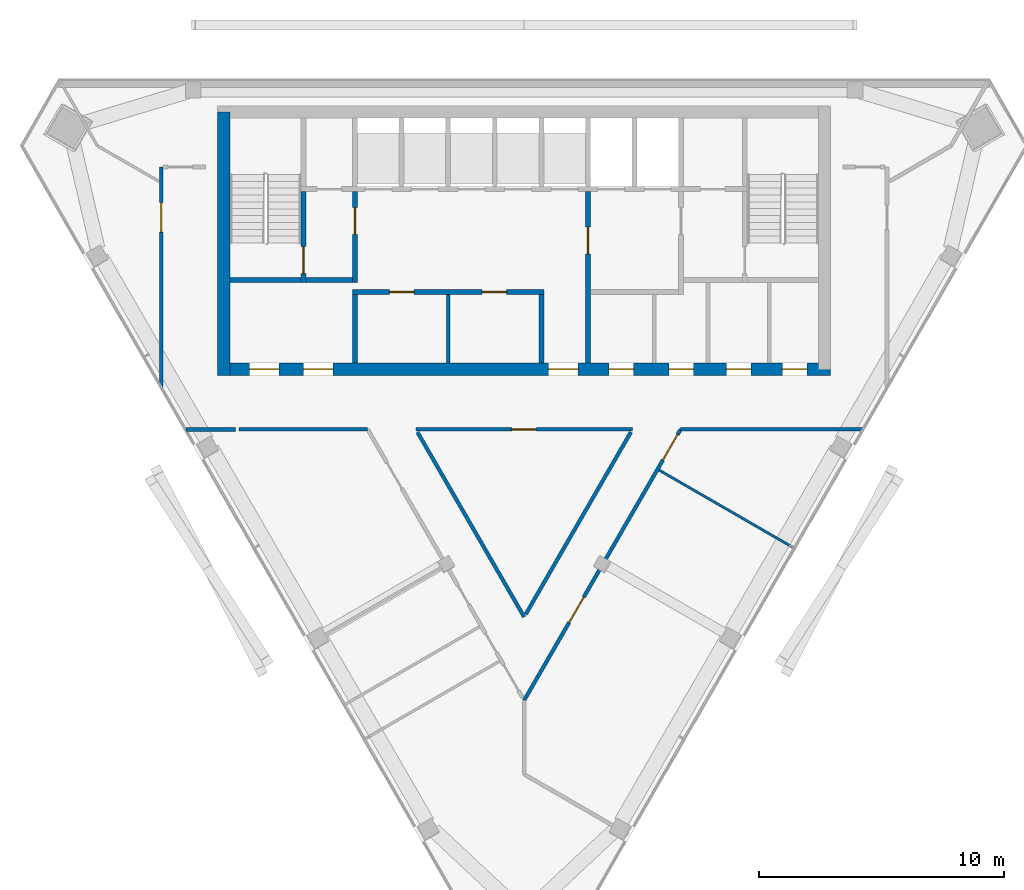
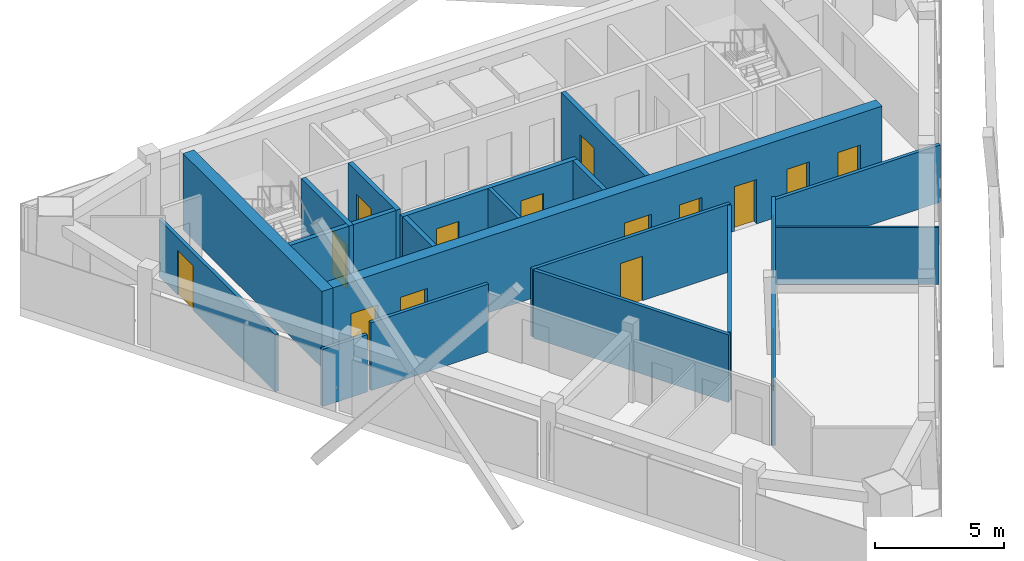
# One storey, part 6 of 10: 20 walls, 16 doors, 16 openings.
"""IFC4 building model written with IfcOpenShell, lengths in metres."""

from ifc_helpers import new_model, si_unit, direction, frame, frame_2d, origin, place, context, subcontext, project, spatial, rectangle, extrude, material, layer, layer_set, type_object, element, fill, save


model = new_model("IFC4")

# Units and contexts
model_context = context("Model", 3, precision=1e-05, world=origin(), true_north=direction((0.0, 1.0)))
body_context = subcontext(model_context, "Body", "Model", "MODEL_VIEW")
ifc_project = project(units=[si_unit("LENGTHUNIT", "METRE"), si_unit("AREAUNIT", "SQUARE_METRE"), si_unit("VOLUMEUNIT", "CUBIC_METRE"), si_unit("PLANEANGLEUNIT", "RADIAN"), si_unit("MASSUNIT", "GRAM", prefix="KILO")], contexts=[model_context])

# Site, building, storey
site_placement = place(None, origin())
site = spatial("IfcSite", under=ifc_project, at=site_placement, CompositionType="ELEMENT")
building_placement = place(site_placement, origin())
building = spatial("IfcBuilding", under=site, at=building_placement, Name="Altiplano Prism Tower", CompositionType="ELEMENT")
storey_placement = place(building_placement, frame((0.0, 0.0, 347.199951171875)))
storey = spatial("IfcBuildingStorey", under=building, at=storey_placement, Name="L90", CompositionType="ELEMENT", Elevation=347.199951171875)

# Wall, openings, doors
ifc_material_1 = material(Name="Concrete C60/75", Category="concrete")
ifc_layer_1 = layer(ifc_material_1, 0.5)
ifc_layer_set_1 = layer_set([ifc_layer_1], Name="Concrete C60/75")
wall_type_1 = type_object("IfcWallType", Name="Core wall 500", PredefinedType="SHEAR", material=ifc_layer_set_1)
wall_1_placement = place(storey_placement, frame((72.75, 93.14990234375, 0.0), z_axis=(0.0, 0.0, 1.0), x_axis=(1.0, 0.0, 0.0)))
wall_1 = element("IfcWall", 1, at=wall_1_placement, inside=storey, type_object=wall_type_1, Name="Core wall S L90", PredefinedType="SHEAR", context=body_context, shape_type="SweptSolid", body=[
    extrude(rectangle(XDim=24.75, YDim=0.5, at=frame_2d((12.375, 0.0))), origin(), (0.0, 0.0, 1.0), 3.60009765625),
])
opening_1_placement = place(wall_1_placement, frame((1.050048828125, 0.0, 0.0)))
opening_1 = element("IfcOpeningElement", 2, at=opening_1_placement, cuts=wall_1, Name="Opening D3866", PredefinedType="OPENING", context=body_context, shape_type="SweptSolid", body=[
    extrude(rectangle(XDim=1.199951171875, YDim=2.10009765625, at=frame_2d((0.60009765625, 1.050048828125))), frame((0.0, 0.260498046875, 0.0), z_axis=(0.0, -1.0, 0.0), x_axis=(1.0, 0.0, 0.0)), (0.0, 0.0, 1.0), 0.52099609375),
])
opening_2_placement = place(wall_1_placement, frame((3.25, 0.0, 0.0)))
opening_2 = element("IfcOpeningElement", 3, at=opening_2_placement, cuts=wall_1, Name="Opening D3867", PredefinedType="OPENING", context=body_context, shape_type="SweptSolid", body=[
    extrude(rectangle(XDim=1.199951171875, YDim=2.10009765625, at=frame_2d((0.60009765625, 1.050048828125))), frame((0.0, 0.260498046875, 0.0), z_axis=(0.0, -1.0, 0.0), x_axis=(1.0, 0.0, 0.0)), (0.0, 0.0, 1.0), 0.52099609375),
])
opening_3_placement = place(wall_1_placement, frame((13.25, 0.0, 0.0)))
opening_3 = element("IfcOpeningElement", 4, at=opening_3_placement, cuts=wall_1, Name="Opening D3868", PredefinedType="OPENING", context=body_context, shape_type="SweptSolid", body=[
    extrude(rectangle(XDim=1.199951171875, YDim=2.10009765625, at=frame_2d((0.60009765625, 1.050048828125))), frame((0.0, 0.260498046875, 0.0), z_axis=(0.0, -1.0, 0.0), x_axis=(1.0, 0.0, 0.0)), (0.0, 0.0, 1.0), 0.52099609375),
])
opening_4_placement = place(wall_1_placement, frame((15.71240234375, 0.0, 0.0)))
opening_4 = element("IfcOpeningElement", 5, at=opening_4_placement, cuts=wall_1, Name="Opening D3871", PredefinedType="OPENING", context=body_context, shape_type="SweptSolid", body=[
    extrude(rectangle(XDim=1.0, YDim=2.10009765625, at=frame_2d((0.5, 1.050048828125))), frame((0.0, 0.260498046875, 0.0), z_axis=(0.0, -1.0, 0.0), x_axis=(1.0, 0.0, 0.0)), (0.0, 0.0, 1.0), 0.52099609375),
])
opening_5_placement = place(wall_1_placement, frame((18.14990234375, 0.0, 0.0)))
opening_5 = element("IfcOpeningElement", 6, at=opening_5_placement, cuts=wall_1, Name="Opening D3872", PredefinedType="OPENING", context=body_context, shape_type="SweptSolid", body=[
    extrude(rectangle(XDim=1.0, YDim=2.10009765625, at=frame_2d((0.5, 1.050048828125))), frame((0.0, 0.260498046875, 0.0), z_axis=(0.0, -1.0, 0.0), x_axis=(1.0, 0.0, 0.0)), (0.0, 0.0, 1.0), 0.52099609375),
])
opening_6_placement = place(wall_1_placement, frame((20.5, 0.0, 0.0)))
opening_6 = element("IfcOpeningElement", 7, at=opening_6_placement, cuts=wall_1, Name="Opening D3873", PredefinedType="OPENING", context=body_context, shape_type="SweptSolid", body=[
    extrude(rectangle(XDim=1.0, YDim=2.10009765625, at=frame_2d((0.5, 1.050048828125))), frame((0.0, 0.260498046875, 0.0), z_axis=(0.0, -1.0, 0.0), x_axis=(1.0, 0.0, 0.0)), (0.0, 0.0, 1.0), 0.52099609375),
])
opening_7_placement = place(wall_1_placement, frame((22.78759765625, 0.0, 0.0)))
opening_7 = element("IfcOpeningElement", 8, at=opening_7_placement, cuts=wall_1, Name="Opening D3874", PredefinedType="OPENING", context=body_context, shape_type="SweptSolid", body=[
    extrude(rectangle(XDim=1.0, YDim=2.10009765625, at=frame_2d((0.5, 1.050048828125))), frame((0.0, 0.260498046875, 0.0), z_axis=(0.0, -1.0, 0.0), x_axis=(1.0, 0.0, 0.0)), (0.0, 0.0, 1.0), 0.52099609375),
])
ifc_material_2 = material(Name="Fire-rated steel door", Category="steel")
door_type_1 = type_object("IfcDoorType", Name="Core room door 1000 x 2100", OperationType="NOTDEFINED", PredefinedType="NOTDEFINED", material=ifc_material_2)
door_1_placement = place(opening_4_placement, origin())
door_1 = element("IfcDoor", 9, at=door_1_placement, inside=storey, type_object=door_type_1, Name="Core room door D3871", OperationType="SINGLE_SWING_RIGHT", OverallHeight=2.10009765625, OverallWidth=1.0, PredefinedType="NOTDEFINED", context=body_context, shape_type="SweptSolid", body=[
    extrude(rectangle(XDim=1.0, YDim=2.10009765625, at=frame_2d((0.5, 1.050048828125))), frame((0.0, 0.02490234375, 0.0), z_axis=(0.0, -1.0, 0.0), x_axis=(1.0, 0.0, 0.0)), (0.0, 0.0, 1.0), 0.050048828125),
])
fill(opening_4, door_1)
door_2_placement = place(opening_5_placement, origin())
door_2 = element("IfcDoor", 10, at=door_2_placement, inside=storey, type_object=door_type_1, Name="Core room door D3872", OperationType="SINGLE_SWING_LEFT", OverallHeight=2.10009765625, OverallWidth=1.0, PredefinedType="NOTDEFINED", context=body_context, shape_type="SweptSolid", body=[
    extrude(rectangle(XDim=1.0, YDim=2.10009765625, at=frame_2d((0.5, 1.050048828125))), frame((0.0, 0.02490234375, 0.0), z_axis=(0.0, -1.0, 0.0), x_axis=(1.0, 0.0, 0.0)), (0.0, 0.0, 1.0), 0.050048828125),
])
fill(opening_5, door_2)
door_3_placement = place(opening_6_placement, origin())
door_3 = element("IfcDoor", 11, at=door_3_placement, inside=storey, type_object=door_type_1, Name="Core room door D3873", OperationType="SINGLE_SWING_RIGHT", OverallHeight=2.10009765625, OverallWidth=1.0, PredefinedType="NOTDEFINED", context=body_context, shape_type="SweptSolid", body=[
    extrude(rectangle(XDim=1.0, YDim=2.10009765625, at=frame_2d((0.5, 1.050048828125))), frame((0.0, 0.02490234375, 0.0), z_axis=(0.0, -1.0, 0.0), x_axis=(1.0, 0.0, 0.0)), (0.0, 0.0, 1.0), 0.050048828125),
])
fill(opening_6, door_3)
door_4_placement = place(opening_7_placement, origin())
door_4 = element("IfcDoor", 12, at=door_4_placement, inside=storey, type_object=door_type_1, Name="Core room door D3874", OperationType="SINGLE_SWING_LEFT", OverallHeight=2.10009765625, OverallWidth=1.0, PredefinedType="NOTDEFINED", context=body_context, shape_type="SweptSolid", body=[
    extrude(rectangle(XDim=1.0, YDim=2.10009765625, at=frame_2d((0.5, 1.050048828125))), frame((0.0, 0.02490234375, 0.0), z_axis=(0.0, -1.0, 0.0), x_axis=(1.0, 0.0, 0.0)), (0.0, 0.0, 1.0), 0.050048828125),
])
fill(opening_7, door_4)
door_type_2 = type_object("IfcDoorType", Name="Lobby fire door 1200 x 2100", OperationType="NOTDEFINED", PredefinedType="NOTDEFINED", material=ifc_material_2)
door_5_placement = place(opening_1_placement, origin())
door_5 = element("IfcDoor", 13, at=door_5_placement, inside=storey, type_object=door_type_2, Name="Lobby fire door D3866", OperationType="SINGLE_SWING_RIGHT", OverallHeight=2.10009765625, OverallWidth=1.199951171875, PredefinedType="NOTDEFINED", context=body_context, shape_type="SweptSolid", body=[
    extrude(rectangle(XDim=1.199951171875, YDim=2.10009765625, at=frame_2d((0.60009765625, 1.050048828125))), frame((0.0, 0.02490234375, 0.0), z_axis=(0.0, -1.0, 0.0), x_axis=(1.0, 0.0, 0.0)), (0.0, 0.0, 1.0), 0.050048828125),
])
fill(opening_1, door_5)
door_6_placement = place(opening_2_placement, origin())
door_6 = element("IfcDoor", 14, at=door_6_placement, inside=storey, type_object=door_type_2, Name="Lobby fire door D3867", OperationType="SINGLE_SWING_LEFT", OverallHeight=2.10009765625, OverallWidth=1.199951171875, PredefinedType="NOTDEFINED", context=body_context, shape_type="SweptSolid", body=[
    extrude(rectangle(XDim=1.199951171875, YDim=2.10009765625, at=frame_2d((0.60009765625, 1.050048828125))), frame((0.0, 0.02490234375, 0.0), z_axis=(0.0, -1.0, 0.0), x_axis=(1.0, 0.0, 0.0)), (0.0, 0.0, 1.0), 0.050048828125),
])
fill(opening_2, door_6)
door_7_placement = place(opening_3_placement, origin())
door_7 = element("IfcDoor", 15, at=door_7_placement, inside=storey, type_object=door_type_2, Name="Lobby fire door D3868", OperationType="SINGLE_SWING_RIGHT", OverallHeight=2.10009765625, OverallWidth=1.199951171875, PredefinedType="NOTDEFINED", context=body_context, shape_type="SweptSolid", body=[
    extrude(rectangle(XDim=1.199951171875, YDim=2.10009765625, at=frame_2d((0.60009765625, 1.050048828125))), frame((0.0, 0.02490234375, 0.0), z_axis=(0.0, -1.0, 0.0), x_axis=(1.0, 0.0, 0.0)), (0.0, 0.0, 1.0), 0.050048828125),
])
fill(opening_3, door_7)

# Walls
wall_2_placement = place(storey_placement, frame((72.75, 103.64990234375, 0.0), z_axis=(0.0, 0.0, 1.0), x_axis=(0.0, -1.0, 0.0)))
element("IfcWall", 16, at=wall_2_placement, inside=storey, type_object=wall_type_1, Name="Core wall W L90", PredefinedType="SHEAR", context=body_context, shape_type="SweptSolid", body=[
    extrude(rectangle(XDim=10.75, YDim=0.5, at=frame_2d((5.375, 0.0))), origin(), (0.0, 0.0, 1.0), 3.60009765625),
])
ifc_material_3 = material(Name="Plasterboard on steel stud", Category="steel")
ifc_layer_2 = layer(ifc_material_3, 0.10009765625)
ifc_layer_set_2 = layer_set([ifc_layer_2], Name="Plasterboard on steel stud")
wall_type_2 = type_object("IfcWallType", Name="Partition 100 wet", PredefinedType="PARTITIONING", material=ifc_layer_set_2)
wall_3_placement = place(storey_placement, frame((95.9853515625, 85.872802734375, 0.0), z_axis=(0.0, 0.0, 1.0), x_axis=(-0.866015887322, 0.500016482634, 0.0)))
element("IfcWall", 17, at=wall_3_placement, inside=storey, type_object=wall_type_2, Name="Partition P03 L90 020", PredefinedType="PARTITIONING", context=body_context, shape_type="SweptSolid", body=[
    extrude(rectangle(XDim=6.324951171875, YDim=0.10009765625, at=frame_2d((3.16259765625, 0.0))), origin(), (0.0, 0.0, 1.0), 2.699951171875),
])

# Wall, opening, door
ifc_layer_3 = layer(ifc_material_3, 0.14990234375)
ifc_layer_set_3 = layer_set([ifc_layer_3], Name="Plasterboard on steel stud")
wall_type_3 = type_object("IfcWallType", Name="Partition 150 corridor", PredefinedType="PARTITIONING", material=ifc_layer_set_3)
wall_4_placement = place(storey_placement, frame((70.19970703125, 101.40087890625, 0.0), z_axis=(0.0, 0.0, 1.0), x_axis=(2.714883e-05, -0.999999999631, 0.0)))
wall_4 = element("IfcWall", 18, at=wall_4_placement, inside=storey, type_object=wall_type_3, Name="Partition P06 L90 001", PredefinedType="PARTITIONING", context=body_context, shape_type="SweptSolid", body=[
    extrude(rectangle(XDim=8.99267578125, YDim=0.14990234375, at=frame_2d((4.496337890625, 0.0))), origin(), (0.0, 0.0, 1.0), 2.699951171875),
])
opening_8_placement = place(wall_4_placement, frame((1.4541015625, 0.0, 0.0)))
opening_8 = element("IfcOpeningElement", 19, at=opening_8_placement, cuts=wall_4, Name="Opening D2520", PredefinedType="OPENING", context=body_context, shape_type="SweptSolid", body=[
    extrude(rectangle(XDim=1.199951171875, YDim=2.10009765625, at=frame_2d((0.60009765625, 1.050048828125))), frame((0.0, 0.08544921875, 0.0), z_axis=(0.0, -1.0, 0.0), x_axis=(1.0, 0.0, 0.0)), (0.0, 0.0, 1.0), 0.1708984375),
])
ifc_material_4 = material(Name="Timber", Category="wood")
door_type_3 = type_object("IfcDoorType", Name="Shared room door 1200 x 2100", OperationType="NOTDEFINED", PredefinedType="NOTDEFINED", material=ifc_material_4)
door_8_placement = place(opening_8_placement, origin())
door_8 = element("IfcDoor", 20, at=door_8_placement, inside=storey, type_object=door_type_3, Name="Door D2520", OperationType="SINGLE_SWING_RIGHT", OverallHeight=2.10009765625, OverallWidth=1.199951171875, PredefinedType="NOTDEFINED", context=body_context, shape_type="SweptSolid", body=[
    extrude(rectangle(XDim=1.199951171875, YDim=2.10009765625, at=frame_2d((0.60009765625, 1.050048828125))), frame((0.0, 0.02490234375, 0.0), z_axis=(0.0, -1.0, 0.0), x_axis=(1.0, 0.0, 0.0)), (0.0, 0.0, 1.0), 0.050048828125),
])
fill(opening_8, door_8)

# Walls
wall_5_placement = place(storey_placement, frame((71.204833984375, 90.697021484375, 0.0), z_axis=(0.0, 0.0, 1.0), x_axis=(1.0, 0.0, 0.0)))
element("IfcWall", 21, at=wall_5_placement, inside=storey, type_object=wall_type_3, Name="Partition P06 L90 002", PredefinedType="PARTITIONING", context=body_context, shape_type="SweptSolid", body=[
    extrude(rectangle(XDim=2.01025390625, YDim=0.14990234375, at=frame_2d((1.005126953125, 0.0))), origin(), (0.0, 0.0, 1.0), 2.699951171875),
])
wall_6_placement = place(storey_placement, frame((73.37548828125, 90.699951171875, 0.0), z_axis=(0.0, 0.0, 1.0), x_axis=(1.0, 0.0, 0.0)))
element("IfcWall", 22, at=wall_6_placement, inside=storey, type_object=wall_type_3, Name="Partition P06 L90 003", PredefinedType="PARTITIONING", context=body_context, shape_type="SweptSolid", body=[
    extrude(rectangle(XDim=5.242431640625, YDim=0.14990234375, at=frame_2d((2.62109375, 0.0))), origin(), (0.0, 0.0, 1.0), 3.199951171875),
])

# Wall, openings, doors
wall_7_placement = place(storey_placement, frame((85.0, 79.645751953125, 0.0), z_axis=(0.0, 0.0, 1.0), x_axis=(0.499996191519, 0.866027602601, 0.0)))
wall_7 = element("IfcWall", 23, at=wall_7_placement, inside=storey, type_object=wall_type_3, Name="Partition P06 L90 005", PredefinedType="PARTITIONING", context=body_context, shape_type="SweptSolid", body=[
    extrude(rectangle(XDim=12.76416015625, YDim=0.14990234375, at=frame_2d((6.382080078125, 0.0))), origin(), (0.0, 0.0, 1.0), 2.800048828125),
])
opening_9_placement = place(wall_7_placement, frame((3.6708984375, 0.0, 0.0)))
opening_9 = element("IfcOpeningElement", 24, at=opening_9_placement, cuts=wall_7, Name="Opening D2525", PredefinedType="OPENING", context=body_context, shape_type="SweptSolid", body=[
    extrude(rectangle(XDim=1.199951171875, YDim=2.10009765625, at=frame_2d((0.60009765625, 1.050048828125))), frame((0.0, 0.08544921875, 0.0), z_axis=(0.0, -1.0, 0.0), x_axis=(1.0, 0.0, 0.0)), (0.0, 0.0, 1.0), 0.1708984375),
])
opening_10_placement = place(wall_7_placement, frame((11.319091796875, 0.0, 0.0)))
opening_10 = element("IfcOpeningElement", 25, at=opening_10_placement, cuts=wall_7, Name="Opening D2526", PredefinedType="OPENING", context=body_context, shape_type="SweptSolid", body=[
    extrude(rectangle(XDim=1.199951171875, YDim=2.10009765625, at=frame_2d((0.60009765625, 1.050048828125))), frame((0.0, 0.08544921875, 0.0), z_axis=(0.0, -1.0, 0.0), x_axis=(1.0, 0.0, 0.0)), (0.0, 0.0, 1.0), 0.1708984375),
])
door_9_placement = place(opening_9_placement, origin())
door_9 = element("IfcDoor", 26, at=door_9_placement, inside=storey, type_object=door_type_3, Name="Door D2525", OperationType="SINGLE_SWING_LEFT", OverallHeight=2.10009765625, OverallWidth=1.199951171875, PredefinedType="NOTDEFINED", context=body_context, shape_type="SweptSolid", body=[
    extrude(rectangle(XDim=1.199951171875, YDim=2.10009765625, at=frame_2d((0.60009765625, 1.050048828125))), frame((0.0, 0.02490234375, 0.0), z_axis=(0.0, -1.0, 0.0), x_axis=(1.0, 0.0, 0.0)), (0.0, 0.0, 1.0), 0.050048828125),
])
fill(opening_9, door_9)
door_10_placement = place(opening_10_placement, origin())
door_10 = element("IfcDoor", 27, at=door_10_placement, inside=storey, type_object=door_type_3, Name="Door D2526", OperationType="SINGLE_SWING_LEFT", OverallHeight=2.10009765625, OverallWidth=1.199951171875, PredefinedType="NOTDEFINED", context=body_context, shape_type="SweptSolid", body=[
    extrude(rectangle(XDim=1.199951171875, YDim=2.10009765625, at=frame_2d((0.60009765625, 1.050048828125))), frame((0.0, 0.02490234375, 0.0), z_axis=(0.0, -1.0, 0.0), x_axis=(1.0, 0.0, 0.0)), (0.0, 0.0, 1.0), 0.050048828125),
])
fill(opening_10, door_10)

# Walls
wall_8_placement = place(storey_placement, frame((91.382080078125, 90.699951171875, 0.0), z_axis=(0.0, 0.0, 1.0), x_axis=(1.0, 0.0, 0.0)))
element("IfcWall", 28, at=wall_8_placement, inside=storey, type_object=wall_type_3, Name="Partition P06 L90 006", PredefinedType="PARTITIONING", context=body_context, shape_type="SweptSolid", body=[
    extrude(rectangle(XDim=7.414794921875, YDim=0.14990234375, at=frame_2d((3.70751953125, 0.0))), origin(), (0.0, 0.0, 1.0), 2.699951171875),
])
wall_9_placement = place(storey_placement, frame((89.3525390625, 90.58642578125, 0.0), z_axis=(0.0, 0.0, 1.0), x_axis=(-0.50001573457, -0.866016319236, 0.0)))
element("IfcWall", 29, at=wall_9_placement, inside=storey, type_object=wall_type_3, Name="Partition P06 L90 008", PredefinedType="PARTITIONING", context=body_context, shape_type="SweptSolid", body=[
    extrude(rectangle(XDim=8.574951171875, YDim=0.14990234375, at=frame_2d((4.28759765625, 0.0))), origin(), (0.0, 0.0, 1.0), 3.199951171875),
])
wall_10_placement = place(storey_placement, frame((85.0, 83.0478515625, 0.0), z_axis=(0.0, 0.0, 1.0), x_axis=(-0.500012166249, 0.866018379483, 0.0)))
element("IfcWall", 30, at=wall_10_placement, inside=storey, type_object=wall_type_3, Name="Partition P06 L90 009", PredefinedType="PARTITIONING", context=body_context, shape_type="SweptSolid", body=[
    extrude(rectangle(XDim=8.704833984375, YDim=0.14990234375, at=frame_2d((4.3525390625, 0.0))), origin(), (0.0, 0.0, 1.0), 3.199951171875),
])

# Wall, opening, door
wall_11_placement = place(storey_placement, frame((80.58251953125, 90.698974609375, 0.0), z_axis=(0.0, 0.0, 1.0), x_axis=(1.0, 0.0, 0.0)))
wall_11 = element("IfcWall", 31, at=wall_11_placement, inside=storey, type_object=wall_type_3, Name="Partition P06 L90 010", PredefinedType="PARTITIONING", context=body_context, shape_type="SweptSolid", body=[
    extrude(rectangle(XDim=8.8349609375, YDim=0.14990234375, at=frame_2d((4.41748046875, 0.0))), origin(), (0.0, 0.0, 1.0), 3.199951171875),
])
opening_11_placement = place(wall_11_placement, frame((3.9169921875, 0.0, 0.0)))
opening_11 = element("IfcOpeningElement", 32, at=opening_11_placement, cuts=wall_11, Name="Opening D2528", PredefinedType="OPENING", context=body_context, shape_type="SweptSolid", body=[
    extrude(rectangle(XDim=1.0, YDim=2.10009765625, at=frame_2d((0.5, 1.050048828125))), frame((0.0, 0.08544921875, 0.0), z_axis=(0.0, -1.0, 0.0), x_axis=(1.0, 0.0, 0.0)), (0.0, 0.0, 1.0), 0.1708984375),
])
door_type_4 = type_object("IfcDoorType", Name="Room door 1000 x 2100", OperationType="NOTDEFINED", PredefinedType="NOTDEFINED", material=ifc_material_4)
door_11_placement = place(opening_11_placement, origin())
door_11 = element("IfcDoor", 33, at=door_11_placement, inside=storey, type_object=door_type_4, Name="Door D2528", OperationType="SINGLE_SWING_LEFT", OverallHeight=2.10009765625, OverallWidth=1.0, PredefinedType="NOTDEFINED", context=body_context, shape_type="SweptSolid", body=[
    extrude(rectangle(XDim=1.0, YDim=2.10009765625, at=frame_2d((0.5, 1.050048828125))), frame((0.0, 0.02490234375, 0.0), z_axis=(0.0, -1.0, 0.0), x_axis=(1.0, 0.0, 0.0)), (0.0, 0.0, 1.0), 0.050048828125),
])
fill(opening_11, door_11)

# Walls
ifc_material_5 = material(Name="Fire-rated gypsum board partition")
ifc_layer_4 = layer(ifc_material_5, 0.14990234375)
ifc_layer_set_4 = layer_set([ifc_layer_4], Name="Fire-rated gypsum board partition")
wall_type_4 = type_object("IfcWallType", Name="Room partition 150", PredefinedType="PARTITIONING", material=ifc_layer_set_4)
wall_12_placement = place(storey_placement, frame((81.89990234375, 93.39990234375, 0.0), z_axis=(0.0, 0.0, 1.0), x_axis=(0.0, 1.0, 0.0)))
element("IfcWall", 34, at=wall_12_placement, inside=storey, type_object=wall_type_4, Name="Room partition L90", PredefinedType="PARTITIONING", context=body_context, shape_type="SweptSolid", body=[
    extrude(rectangle(XDim=2.800048828125, YDim=0.14990234375, at=frame_2d((1.39990234375, 0.0))), origin(), (0.0, 0.0, 1.0), 3.199951171875),
])
ifc_layer_5 = layer(ifc_material_1, 0.199951171875)
ifc_layer_set_5 = layer_set([ifc_layer_5], Name="Concrete C60/75")
wall_type_5 = type_object("IfcWallType", Name="Stair wall 200", PredefinedType="SOLIDWALL", material=ifc_layer_set_5)
wall_13_placement = place(storey_placement, frame((73.0, 96.800048828125, 0.0), z_axis=(0.0, 0.0, 1.0), x_axis=(1.0, 0.0, 0.0)))
element("IfcWall", 35, at=wall_13_placement, inside=storey, type_object=wall_type_5, Name="Stair wall L90", PredefinedType="SOLIDWALL", context=body_context, shape_type="SweptSolid", body=[
    extrude(rectangle(XDim=2.89990234375, YDim=0.199951171875, at=frame_2d((1.449951171875, 0.0))), origin(), (0.0, 0.0, 1.0), 3.199951171875),
])

# Wall, opening, door
wall_14_placement = place(storey_placement, frame((76.0, 96.699951171875, 0.0), z_axis=(0.0, 0.0, 1.0), x_axis=(0.0, 1.0, 0.0)))
wall_14 = element("IfcWall", 36, at=wall_14_placement, inside=storey, type_object=wall_type_5, Name="Stair wall L90", PredefinedType="SOLIDWALL", context=body_context, shape_type="SweptSolid", body=[
    extrude(rectangle(XDim=3.699951171875, YDim=0.199951171875, at=frame_2d((1.85009765625, 0.0))), origin(), (0.0, 0.0, 1.0), 3.199951171875),
])
opening_12_placement = place(wall_14_placement, frame((0.35009765625, 0.0, 0.0)))
opening_12 = element("IfcOpeningElement", 37, at=opening_12_placement, cuts=wall_14, Name="Opening D3861", PredefinedType="OPENING", context=body_context, shape_type="SweptSolid", body=[
    extrude(rectangle(XDim=1.10009765625, YDim=2.10009765625, at=frame_2d((0.550048828125, 1.050048828125))), frame((0.0, 0.1103515625, 0.0), z_axis=(0.0, -1.0, 0.0), x_axis=(1.0, 0.0, 0.0)), (0.0, 0.0, 1.0), 0.220947265625),
])
door_type_5 = type_object("IfcDoorType", Name="Stair fire door 1100 x 2100", OperationType="NOTDEFINED", PredefinedType="NOTDEFINED", material=ifc_material_2)
door_12_placement = place(opening_12_placement, origin())
door_12 = element("IfcDoor", 38, at=door_12_placement, inside=storey, type_object=door_type_5, Name="Stair fire door D3861", OperationType="SINGLE_SWING_RIGHT", OverallHeight=2.10009765625, OverallWidth=1.10009765625, PredefinedType="NOTDEFINED", context=body_context, shape_type="SweptSolid", body=[
    extrude(rectangle(XDim=1.10009765625, YDim=2.10009765625, at=frame_2d((0.550048828125, 1.050048828125))), frame((0.0, 0.02490234375, 0.0), z_axis=(0.0, -1.0, 0.0), x_axis=(1.0, 0.0, 0.0)), (0.0, 0.0, 1.0), 0.050048828125),
])
fill(opening_12, door_12)

# Walls
ifc_layer_6 = layer(ifc_material_1, 0.199951171875)
ifc_layer_set_6 = layer_set([ifc_layer_6], Name="Concrete C60/75")
wall_type_6 = type_object("IfcWallType", Name="Vestibule wall 200", PredefinedType="PARTITIONING", material=ifc_layer_set_6)
for number, where, z_axis, x_axis, name in (
    (39, (78.10009765625, 93.39990234375, 0.0), (0.0, 0.0, 1.0), (0.0, 1.0, 0.0), "Vestibule wall L90"),
    (40, (85.699951171875, 93.39990234375, 0.0), (0.0, 0.0, 1.0), (0.0, 1.0, 0.0), "Vestibule wall L90"),
):
    element("IfcWall", number, at=place(storey_placement, frame(where, z_axis=z_axis, x_axis=x_axis)), inside=storey, type_object=wall_type_6, Name=name, PredefinedType="PARTITIONING", context=body_context, shape_type="SweptSolid", body=[
        extrude(rectangle(XDim=2.800048828125, YDim=0.199951171875, at=frame_2d((1.39990234375, 0.0))), origin(), (0.0, 0.0, 1.0), 3.199951171875),
    ])

# Wall, opening, door
wall_15_placement = place(storey_placement, frame((87.60009765625, 93.39990234375, 0.0), z_axis=(0.0, 0.0, 1.0), x_axis=(0.0, 1.0, 0.0)))
wall_15 = element("IfcWall", 41, at=wall_15_placement, inside=storey, type_object=wall_type_6, Name="Vestibule wall L90", PredefinedType="PARTITIONING", context=body_context, shape_type="SweptSolid", body=[
    extrude(rectangle(XDim=7.0, YDim=0.199951171875, at=frame_2d((3.5, 0.0))), origin(), (0.0, 0.0, 1.0), 3.199951171875),
])
opening_13_placement = place(wall_15_placement, frame((4.449951171875, 0.0, 0.0)))
opening_13 = element("IfcOpeningElement", 42, at=opening_13_placement, cuts=wall_15, Name="Opening D3864", PredefinedType="OPENING", context=body_context, shape_type="SweptSolid", body=[
    extrude(rectangle(XDim=1.10009765625, YDim=2.10009765625, at=frame_2d((0.550048828125, 1.050048828125))), frame((0.0, 0.1103515625, 0.0), z_axis=(0.0, -1.0, 0.0), x_axis=(1.0, 0.0, 0.0)), (0.0, 0.0, 1.0), 0.220947265625),
])
door_type_6 = type_object("IfcDoorType", Name="Vestibule fire door 1100 x 2100", OperationType="NOTDEFINED", PredefinedType="NOTDEFINED", material=ifc_material_2)
door_13_placement = place(opening_13_placement, origin())
door_13 = element("IfcDoor", 43, at=door_13_placement, inside=storey, type_object=door_type_6, Name="Vestibule fire door D3864", OperationType="SINGLE_SWING_RIGHT", OverallHeight=2.10009765625, OverallWidth=1.10009765625, PredefinedType="NOTDEFINED", context=body_context, shape_type="SweptSolid", body=[
    extrude(rectangle(XDim=1.10009765625, YDim=2.10009765625, at=frame_2d((0.550048828125, 1.050048828125))), frame((0.0, 0.02490234375, 0.0), z_axis=(0.0, -1.0, 0.0), x_axis=(1.0, 0.0, 0.0)), (0.0, 0.0, 1.0), 0.050048828125),
])
fill(opening_13, door_13)

# Wall, openings, doors
wall_16_placement = place(storey_placement, frame((78.0, 96.300048828125, 0.0), z_axis=(0.0, 0.0, 1.0), x_axis=(1.0, 0.0, 0.0)))
wall_16 = element("IfcWall", 44, at=wall_16_placement, inside=storey, type_object=wall_type_6, Name="Vestibule wall L90", PredefinedType="PARTITIONING", context=body_context, shape_type="SweptSolid", body=[
    extrude(rectangle(XDim=7.800048828125, YDim=0.199951171875, at=frame_2d((3.89990234375, 0.0))), origin(), (0.0, 0.0, 1.0), 3.199951171875),
])
opening_14_placement = place(wall_16_placement, frame((1.512451171875, 0.0, 0.0)))
opening_14 = element("IfcOpeningElement", 45, at=opening_14_placement, cuts=wall_16, Name="Opening D3875", PredefinedType="OPENING", context=body_context, shape_type="SweptSolid", body=[
    extrude(rectangle(XDim=1.0, YDim=2.10009765625, at=frame_2d((0.5, 1.050048828125))), frame((0.0, 0.1103515625, 0.0), z_axis=(0.0, -1.0, 0.0), x_axis=(1.0, 0.0, 0.0)), (0.0, 0.0, 1.0), 0.220947265625),
])
opening_15_placement = place(wall_16_placement, frame((5.28759765625, 0.0, 0.0)))
opening_15 = element("IfcOpeningElement", 46, at=opening_15_placement, cuts=wall_16, Name="Opening D3876", PredefinedType="OPENING", context=body_context, shape_type="SweptSolid", body=[
    extrude(rectangle(XDim=1.0, YDim=2.10009765625, at=frame_2d((0.5, 1.050048828125))), frame((0.0, 0.1103515625, 0.0), z_axis=(0.0, -1.0, 0.0), x_axis=(1.0, 0.0, 0.0)), (0.0, 0.0, 1.0), 0.220947265625),
])
door_14_placement = place(opening_14_placement, origin())
door_14 = element("IfcDoor", 47, at=door_14_placement, inside=storey, type_object=door_type_1, Name="Core room door D3875", OperationType="SINGLE_SWING_RIGHT", OverallHeight=2.10009765625, OverallWidth=1.0, PredefinedType="NOTDEFINED", context=body_context, shape_type="SweptSolid", body=[
    extrude(rectangle(XDim=1.0, YDim=2.10009765625, at=frame_2d((0.5, 1.050048828125))), frame((0.0, 0.02490234375, 0.0), z_axis=(0.0, -1.0, 0.0), x_axis=(1.0, 0.0, 0.0)), (0.0, 0.0, 1.0), 0.050048828125),
])
fill(opening_14, door_14)
door_15_placement = place(opening_15_placement, origin())
door_15 = element("IfcDoor", 48, at=door_15_placement, inside=storey, type_object=door_type_1, Name="Core room door D3876", OperationType="SINGLE_SWING_RIGHT", OverallHeight=2.10009765625, OverallWidth=1.0, PredefinedType="NOTDEFINED", context=body_context, shape_type="SweptSolid", body=[
    extrude(rectangle(XDim=1.0, YDim=2.10009765625, at=frame_2d((0.5, 1.050048828125))), frame((0.0, 0.02490234375, 0.0), z_axis=(0.0, -1.0, 0.0), x_axis=(1.0, 0.0, 0.0)), (0.0, 0.0, 1.0), 0.050048828125),
])
fill(opening_15, door_15)

# Wall
wall_17_placement = place(storey_placement, frame((76.10009765625, 96.800048828125, 0.0), z_axis=(0.0, 0.0, 1.0), x_axis=(1.0, 0.0, 0.0)))
element("IfcWall", 49, at=wall_17_placement, inside=storey, type_object=wall_type_6, Name="Vestibule wall L90", PredefinedType="PARTITIONING", context=body_context, shape_type="SweptSolid", body=[
    extrude(rectangle(XDim=1.89990234375, YDim=0.199951171875, at=frame_2d((0.949951171875, 0.0))), origin(), (0.0, 0.0, 1.0), 3.199951171875),
])

# Wall, opening, door
wall_18_placement = place(storey_placement, frame((78.10009765625, 96.699951171875, 0.0), z_axis=(0.0, 0.0, 1.0), x_axis=(0.0, 1.0, 0.0)))
wall_18 = element("IfcWall", 50, at=wall_18_placement, inside=storey, type_object=wall_type_6, Name="Vestibule wall L90", PredefinedType="PARTITIONING", context=body_context, shape_type="SweptSolid", body=[
    extrude(rectangle(XDim=3.699951171875, YDim=0.199951171875, at=frame_2d((1.85009765625, 0.0))), origin(), (0.0, 0.0, 1.0), 3.199951171875),
])
opening_16_placement = place(wall_18_placement, frame((1.949951171875, 0.0, 0.0)))
opening_16 = element("IfcOpeningElement", 51, at=opening_16_placement, cuts=wall_18, Name="Opening D3863", PredefinedType="OPENING", context=body_context, shape_type="SweptSolid", body=[
    extrude(rectangle(XDim=1.10009765625, YDim=2.10009765625, at=frame_2d((0.550048828125, 1.050048828125))), frame((0.0, 0.1103515625, 0.0), z_axis=(0.0, -1.0, 0.0), x_axis=(1.0, 0.0, 0.0)), (0.0, 0.0, 1.0), 0.220947265625),
])
door_16_placement = place(opening_16_placement, origin())
door_16 = element("IfcDoor", 52, at=door_16_placement, inside=storey, type_object=door_type_6, Name="Vestibule fire door D3863", OperationType="SINGLE_SWING_LEFT", OverallHeight=2.10009765625, OverallWidth=1.10009765625, PredefinedType="NOTDEFINED", context=body_context, shape_type="SweptSolid", body=[
    extrude(rectangle(XDim=1.10009765625, YDim=2.10009765625, at=frame_2d((0.550048828125, 1.050048828125))), frame((0.0, 0.02490234375, 0.0), z_axis=(0.0, -1.0, 0.0), x_axis=(1.0, 0.0, 0.0)), (0.0, 0.0, 1.0), 0.050048828125),
])
fill(opening_16, door_16)

save(model, "model.ifc")
